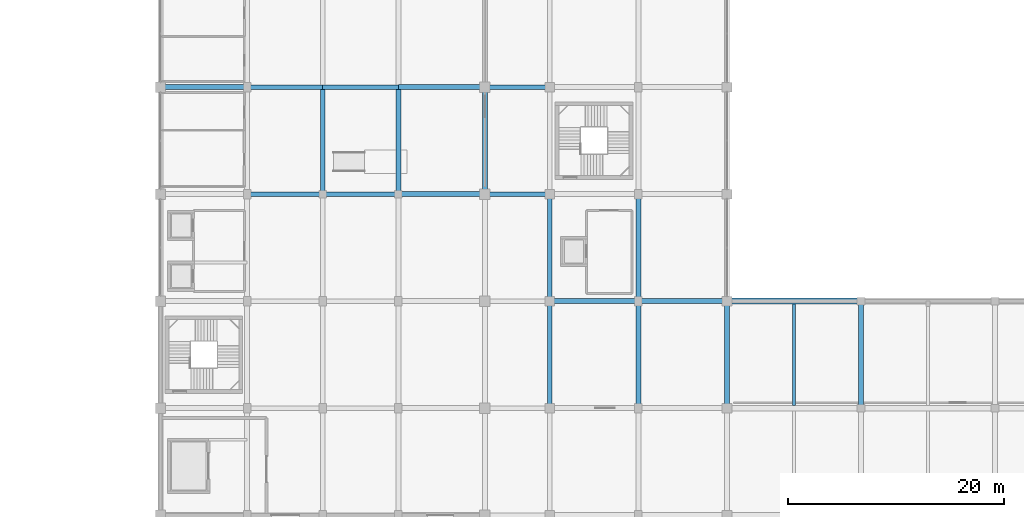
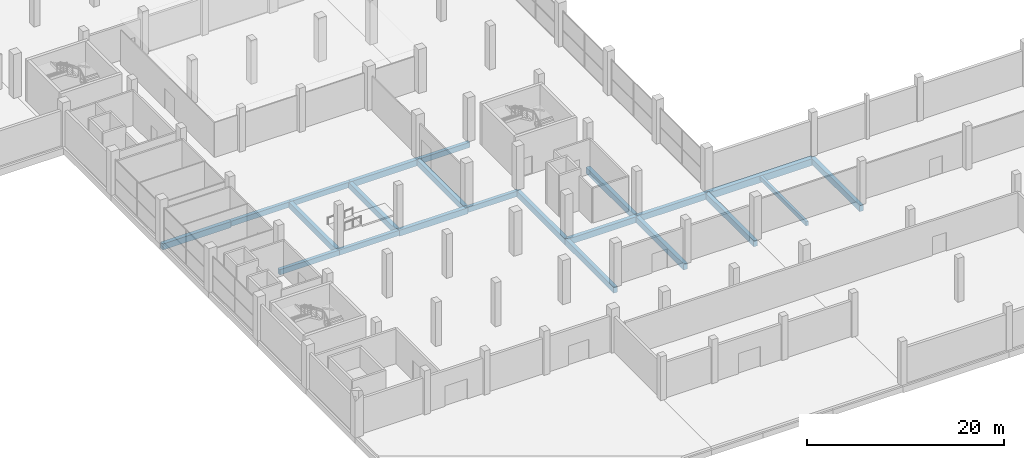
# One storey, part 7 of 50: 22 beams.
"""IFC4 building model written with IfcOpenShell, lengths in metres."""

import ifcopenshell
import ifcopenshell.guid

model = None  # the IFC model being written
_history = None  # IfcOwnerHistory: only IFC2X3 demands one
_inside = {}  # id of a spatial element -> (the spatial element, [elements in it])
_under = {}  # id of a project, library or spatial element -> (it, [spatial elements below it])
_declared = {}  # id of a project -> (the project, [libraries it declares])
_typed = {}  # id of a type object -> (the type object, [elements of that type])
_made_of = {}  # id of a material, layer set ... -> (it, [elements and type objects made of it])


def new_model(schema):
    """Start an empty IFC model of exactly this schema.

    Asked for "IFC4X3", IfcOpenShell would pick the latest addendum, in which some entities
    have other attributes; the version numbers below select the first issue.
    IFC2X3 requires an IfcOwnerHistory on every rooted entity: one is made here for all.
    """
    global model, _history
    if schema == "IFC4X3":
        model = ifcopenshell.file(schema_version=(4, 3, 0, 0))
    else:
        model = ifcopenshell.file(schema=schema)
    _inside.clear()
    _under.clear()
    _declared.clear()
    _typed.clear()
    _made_of.clear()
    _history = None
    if model.schema == "IFC2X3":
        org = make("IfcOrganization", Name="unknown")
        user = make(
            "IfcPersonAndOrganization",
            ThePerson=make("IfcPerson", FamilyName="unknown"),
            TheOrganization=org,
        )
        app = make(
            "IfcApplication",
            ApplicationDeveloper=org,
            Version="unknown",
            ApplicationFullName="unknown",
            ApplicationIdentifier="unknown",
        )
        _history = make(
            "IfcOwnerHistory",
            OwningUser=user,
            OwningApplication=app,
            ChangeAction="ADDED",
            CreationDate=0,
        )
    return model


def make(cls, **values):
    """One entity of the class cls with the attributes given. An attribute that is None is left unset."""
    return model.create_entity(
        cls, **{name: value for name, value in values.items() if value is not None}
    )


def rooted(cls, **values):
    """An entity with a GlobalId (a new one), such as an element, a storey or a relation."""
    return make(cls, GlobalId=ifcopenshell.guid.new(), OwnerHistory=_history, **values)


def si_unit(unit_type, name, prefix=None):
    """IfcSIUnit, for example si_unit("LENGTHUNIT", "METRE", prefix="MILLI")."""
    return make("IfcSIUnit", UnitType=unit_type, Prefix=prefix, Name=name)


def assignment(units):
    """IfcUnitAssignment: the units of a project."""
    return None if units is None else make("IfcUnitAssignment", Units=units)


def point(xyz):
    """IfcCartesianPoint."""
    return None if xyz is None else make("IfcCartesianPoint", Coordinates=xyz)


def direction(xyz):
    """IfcDirection."""
    return None if xyz is None else make("IfcDirection", DirectionRatios=xyz)


def frame(location, z_axis=None, x_axis=None):
    """IfcAxis2Placement3D, a coordinate frame: its origin and axes. An axis left out is left unset."""
    return make(
        "IfcAxis2Placement3D",
        Location=point(location),
        Axis=direction(z_axis),
        RefDirection=direction(x_axis),
    )


def frame_2d(location, x_axis=None):
    """IfcAxis2Placement2D, a coordinate frame in the plane: its origin and x axis."""
    return make(
        "IfcAxis2Placement2D", Location=point(location), RefDirection=direction(x_axis)
    )


def origin():
    """The frame at (0, 0, 0) with its axes left unset."""
    return frame((0.0, 0.0, 0.0))


def origin_2d():
    """The frame at (0, 0) in the plane with its x axis left unset."""
    return frame_2d((0.0, 0.0))


def place(relative_to, where):
    """IfcLocalPlacement: puts the frame where relative to a parent placement (None: the world)."""
    return make(
        "IfcLocalPlacement", PlacementRelTo=relative_to, RelativePlacement=where
    )


def context(
    kind, dimensions, precision=None, world=None, true_north=None, identifier=None
):
    """IfcGeometricRepresentationContext, for example the 3D "Model" context."""
    return make(
        "IfcGeometricRepresentationContext",
        ContextIdentifier=identifier,
        ContextType=kind,
        CoordinateSpaceDimension=dimensions,
        Precision=precision,
        WorldCoordinateSystem=world,
        TrueNorth=true_north,
    )


def subcontext(parent, identifier, kind, view, scale=None):
    """IfcGeometricRepresentationSubContext, for example "Body" below "Model"."""
    return make(
        "IfcGeometricRepresentationSubContext",
        ContextIdentifier=identifier,
        ContextType=kind,
        ParentContext=parent,
        TargetScale=scale,
        TargetView=view,
    )


def project(units=None, contexts=None):
    """IfcProject with its units and contexts."""
    return rooted(
        "IfcProject",
        Name="project",
        RepresentationContexts=contexts,
        UnitsInContext=assignment(units),
    )


def spatial(cls, under=None, at=None, **own):
    """A site, building, storey or space (cls), placed at a placement, below another one or the project."""
    s = rooted(cls, ObjectPlacement=at, **own)
    if under is not None:
        _under.setdefault(under.id(), (under, []))[1].append(s)
    return s


def profile(cls, at=None, kind="AREA", **sizes):
    """A parametric profile (cls). Its sizes go by their IFC names, for example OverallWidth=200.0."""
    return make(cls, ProfileType=kind, Position=at, **sizes)


def rectangle(**sizes):
    """IfcRectangleProfileDef."""
    return profile("IfcRectangleProfileDef", **sizes)


def extrude(swept, where, along, depth):
    """IfcExtrudedAreaSolid: the profile swept, set in the frame where, extruded along a direction by depth."""
    return make(
        "IfcExtrudedAreaSolid",
        SweptArea=swept,
        Position=where,
        ExtrudedDirection=direction(along),
        Depth=depth,
    )


def shape(context_of_items, identifier, shape_type, items):
    """IfcShapeRepresentation: the items that make up one representation, for example the "Body"."""
    return make(
        "IfcShapeRepresentation",
        ContextOfItems=context_of_items,
        RepresentationIdentifier=identifier,
        RepresentationType=shape_type,
        Items=items,
    )


def material(Name=None, Category=None):
    """IfcMaterial."""
    return make("IfcMaterial", Name=Name, Category=Category)


def material_profile(
    of_material, cross_section, Name=None, Category=None, Priority=None
):
    """IfcMaterialProfile: a cross section and its material."""
    return make(
        "IfcMaterialProfile",
        Name=Name,
        Material=of_material,
        Profile=cross_section,
        Priority=Priority,
        Category=Category,
    )


def profile_set(profiles, Name=None, composite=None):
    """IfcMaterialProfileSet."""
    return make(
        "IfcMaterialProfileSet",
        Name=Name,
        MaterialProfiles=profiles,
        CompositeProfile=composite,
    )


def made_of(thing, what):
    """Note that an element or type object is made of a material, layer set ...; save() writes the relation."""
    if what is not None:
        _made_of.setdefault(what.id(), (what, []))[1].append(thing)
    return thing


def type_object(cls, material=None, **own):
    """A type object (cls), such as IfcWallType, which elements share."""
    return made_of(rooted(cls, **own), material)


def element(
    cls,
    number,
    at=None,
    inside=None,
    cuts=None,
    type_object=None,
    material=None,
    context=None,
    identifier="Body",
    shape_type=None,
    held_by="IfcProductDefinitionShape",
    body=None,
    shapes=None,
    **own,
):
    """One element of the class cls, such as IfcWall. Its Tag is "e" and its number.

    at: its placement. inside: the storey or other place that contains it. cuts: it is an
    opening in that element (IfcRelVoidsElement). A single representation is given by context,
    identifier, shape_type and body (its items); several are given by shapes. held_by: the class
    of the entity that holds the representations. save() writes the other relations.
    """
    e = rooted(cls, Tag="e%d" % number, ObjectPlacement=at, **own)
    if body is not None:
        shapes = [shape(context, identifier, shape_type, body)]
    if shapes is not None:
        e.Representation = make(held_by, Representations=shapes)
    if inside is not None:
        _inside.setdefault(inside.id(), (inside, []))[1].append(e)
    if cuts is not None:
        rooted(
            "IfcRelVoidsElement", RelatingBuildingElement=cuts, RelatedOpeningElement=e
        )
    if type_object is not None:
        _typed.setdefault(type_object.id(), (type_object, []))[1].append(e)
    return made_of(e, material)


def aggregate(whole, parts):
    """IfcRelAggregates: a whole, such as a stair, and the parts it consists of."""
    return rooted("IfcRelAggregates", RelatingObject=whole, RelatedObjects=parts)


def save(model, path):
    """Write the relations noted so far, then the file.

    IfcRelAggregates (storeys below a building ...), IfcRelContainedInSpatialStructure (elements
    in a storey), IfcRelDefinesByType, IfcRelAssociatesMaterial and IfcRelDeclares: one each for
    every whole, place, type object, material and project.
    """
    for whole, parts in _under.values():
        aggregate(whole, parts)
    for where, things in _inside.values():
        rooted(
            "IfcRelContainedInSpatialStructure",
            RelatedElements=things,
            RelatingStructure=where,
        )
    for kind, things in _typed.values():
        rooted("IfcRelDefinesByType", RelatedObjects=things, RelatingType=kind)
    for what, things in _made_of.values():
        rooted("IfcRelAssociatesMaterial", RelatedObjects=things, RelatingMaterial=what)
    for by, libraries in _declared.values():
        rooted("IfcRelDeclares", RelatingContext=by, RelatedDefinitions=libraries)
    model.write(path)


model = new_model("IFC4")

# Units and contexts
model_context = context("Model", 3, precision=1e-05, world=origin(), true_north=direction((0.0, 1.0)))
body_context = subcontext(model_context, "Body", "Model", "MODEL_VIEW")
ifc_project = project(units=[si_unit("LENGTHUNIT", "METRE"), si_unit("AREAUNIT", "SQUARE_METRE"), si_unit("VOLUMEUNIT", "CUBIC_METRE"), si_unit("PLANEANGLEUNIT", "RADIAN"), si_unit("MASSUNIT", "GRAM", prefix="KILO")], contexts=[model_context])

# Site, building, storey
site_placement = place(None, origin())
site = spatial("IfcSite", under=ifc_project, at=site_placement, CompositionType="ELEMENT")
building_placement = place(site_placement, origin())
building = spatial("IfcBuilding", under=site, at=building_placement, Name="Sillaruma Civic Art Gallery", CompositionType="ELEMENT")
storey_placement = place(building_placement, origin())
storey = spatial("IfcBuildingStorey", under=building, at=storey_placement, Name="L00", CompositionType="ELEMENT", Elevation=0.0)

# Beams
ifc_material_1 = material(Name="Concrete H35 (35 MPa)", Category="concrete")
ifc_material_profile_1 = material_profile(ifc_material_1, rectangle(XDim=0.39990234375, YDim=0.64990234375, at=origin_2d()), Name="RCB400x650")
ifc_profile_set_1 = profile_set([ifc_material_profile_1], Name="Concrete H35 (35 MPa)")
beam_type_1 = type_object("IfcBeamType", Name="BM-BEAM-RCB400x650", PredefinedType="BEAM", material=ifc_profile_set_1)
for number, where, z_axis, x_axis, name in (
    (1, (70.0, 49.5, -0.625), (1.0, 0.0, 0.0), (0.0, 1.0, 0.0), "Beam BM-05 (B01:6:G-H)"),
    (2, (77.0, 49.5, -0.625), (1.0, 0.0, 0.0), (0.0, 1.0, 0.0), "Beam BM-05 (B01:6:H-J)"),
):
    element("IfcBeam", number, at=place(storey_placement, frame(where, z_axis=z_axis, x_axis=x_axis)), inside=storey, type_object=beam_type_1, Name=name, PredefinedType="BEAM", context=body_context, shape_type="SweptSolid", body=[
        extrude(rectangle(XDim=0.39990234375, YDim=0.64990234375, at=origin_2d()), origin(), (0.0, 0.0, 1.0), 7.0),
    ])
beam_1_placement = place(storey_placement, frame((92.0, 49.5, -0.625), z_axis=(1.0, 0.0, 0.0), x_axis=(0.0, 1.0, 0.0)))
element("IfcBeam", 3, at=beam_1_placement, inside=storey, type_object=beam_type_1, Name="Beam BM-05 (B01:6:K-L)", PredefinedType="BEAM", context=body_context, shape_type="SweptSolid", body=[
    extrude(rectangle(XDim=0.39990234375, YDim=0.64990234375, at=origin_2d()), origin(), (0.0, 0.0, 1.0), 6.0),
])
for number, where, z_axis, x_axis, name in (
    (4, (70.0, 59.39990234375, -0.625), (1.0, 0.0, 0.0), (0.0, 1.0, 0.0), "Beam BM-05 (B01:7:G-H)"),
    (5, (77.0, 59.39990234375, -0.625), (1.0, 0.0, 0.0), (0.0, 1.0, 0.0), "Beam BM-05 (B01:7:H-J)"),
):
    element("IfcBeam", number, at=place(storey_placement, frame(where, z_axis=z_axis, x_axis=x_axis)), inside=storey, type_object=beam_type_1, Name=name, PredefinedType="BEAM", context=body_context, shape_type="SweptSolid", body=[
        extrude(rectangle(XDim=0.39990234375, YDim=0.64990234375, at=origin_2d()), origin(), (0.0, 0.0, 1.0), 7.0),
    ])
beam_2_placement = place(storey_placement, frame((92.0, 59.39990234375, -0.625), z_axis=(1.0, 0.0, 0.0), x_axis=(0.0, 1.0, 0.0)))
element("IfcBeam", 6, at=beam_2_placement, inside=storey, type_object=beam_type_1, Name="Beam BM-05 (B01:7:K-L)", PredefinedType="BEAM", context=body_context, shape_type="SweptSolid", body=[
    extrude(rectangle(XDim=0.39990234375, YDim=0.64990234375, at=origin_2d()), origin(), (0.0, 0.0, 1.0), 6.0),
])
ifc_material_2 = material(Name="Concrete H40 (40 MPa)", Category="concrete")
ifc_material_profile_2 = material_profile(ifc_material_2, rectangle(XDim=0.449951171875, YDim=0.75, at=origin_2d()), Name="RCB450x750")
ifc_profile_set_2 = profile_set([ifc_material_profile_2], Name="Concrete H40 (40 MPa)")
beam_type_2 = type_object("IfcBeamType", Name="BM-BEAM-RCB450x750", PredefinedType="BEAM", material=ifc_profile_set_2)
for number, where, z_axis, x_axis, name in (
    (7, (98.0, 39.60009765625, -0.675048828125), (1.0, 0.0, 0.0), (0.0, 1.0, 0.0), "Beam BM-03 (B01:5:L-M)"),
    (8, (106.199951171875, 39.60009765625, -0.675048828125), (1.0, 0.0, 0.0), (0.0, 1.0, 0.0), "Beam BM-03 (B01:5:M-N)"),
):
    element("IfcBeam", number, at=place(storey_placement, frame(where, z_axis=z_axis, x_axis=x_axis)), inside=storey, type_object=beam_type_2, Name=name, PredefinedType="BEAM", context=body_context, shape_type="SweptSolid", body=[
        extrude(rectangle(XDim=0.449951171875, YDim=0.75, at=origin_2d()), origin(), (0.0, 0.0, 1.0), 8.199951171875),
    ])
for number, where, z_axis, x_axis, name in (
    (9, (84.0, 49.5, -0.675048828125), (1.0, 0.0, 0.0), (0.0, 1.0, 0.0), "Beam BM-03 (B01:6:J-K)"),
    (10, (62.0, 59.39990234375, -0.675048828125), (1.0, 0.0, 0.0), (0.0, 1.0, 0.0), "Beam BM-03 (B01:7:F-G)"),
    (11, (84.0, 59.39990234375, -0.675048828125), (1.0, 0.0, 0.0), (0.0, 1.0, 0.0), "Beam BM-03 (B01:7:J-K)"),
):
    element("IfcBeam", number, at=place(storey_placement, frame(where, z_axis=z_axis, x_axis=x_axis)), inside=storey, type_object=beam_type_2, Name=name, PredefinedType="BEAM", context=body_context, shape_type="SweptSolid", body=[
        extrude(rectangle(XDim=0.449951171875, YDim=0.75, at=origin_2d()), origin(), (0.0, 0.0, 1.0), 8.0),
    ])
for number, where, z_axis, x_axis, name in (
    (12, (77.0, 49.5, -0.675048828125), (0.0, 1.0, 0.0), (-1.0, 0.0, 0.0), "Beam BM-03 (B01:H:6-7)"),
    (13, (84.0, 49.5, -0.675048828125), (0.0, 1.0, 0.0), (-1.0, 0.0, 0.0), "Beam BM-03 (B01:J:6-7)"),
    (14, (92.0, 49.5, -0.675048828125), (0.0, 1.0, 0.0), (-1.0, 0.0, 0.0), "Beam BM-03 (B01:K:6-7)"),
):
    element("IfcBeam", number, at=place(storey_placement, frame(where, z_axis=z_axis, x_axis=x_axis)), inside=storey, type_object=beam_type_2, Name=name, PredefinedType="BEAM", context=body_context, shape_type="SweptSolid", body=[
        extrude(rectangle(XDim=0.449951171875, YDim=0.75, at=origin_2d()), origin(), (0.0, 0.0, 1.0), 9.89990234375),
    ])
beam_3_placement = place(storey_placement, frame((98.0, 29.699951171875, -0.675048828125), z_axis=(0.0, 1.0, 0.0), x_axis=(-1.0, 0.0, 0.0)))
element("IfcBeam", 15, at=beam_3_placement, inside=storey, type_object=beam_type_2, Name="Beam BM-03 (B01:L:4-5)", PredefinedType="BEAM", context=body_context, shape_type="SweptSolid", body=[
    extrude(rectangle(XDim=0.449951171875, YDim=0.75, at=origin_2d()), origin(), (0.0, 0.0, 1.0), 9.900146484375),
])
beam_4_placement = place(storey_placement, frame((98.0, 39.60009765625, -0.675048828125), z_axis=(0.0, 1.0, 0.0), x_axis=(-1.0, 0.0, 0.0)))
element("IfcBeam", 16, at=beam_4_placement, inside=storey, type_object=beam_type_2, Name="Beam BM-03 (B01:L:5-6)", PredefinedType="BEAM", context=body_context, shape_type="SweptSolid", body=[
    extrude(rectangle(XDim=0.449951171875, YDim=0.75, at=origin_2d()), origin(), (0.0, 0.0, 1.0), 9.89990234375),
])
beam_5_placement = place(storey_placement, frame((106.199951171875, 29.699951171875, -0.675048828125), z_axis=(0.0, 1.0, 0.0), x_axis=(-1.0, 0.0, 0.0)))
element("IfcBeam", 17, at=beam_5_placement, inside=storey, type_object=beam_type_2, Name="Beam BM-03 (B01:M:4-5)", PredefinedType="BEAM", context=body_context, shape_type="SweptSolid", body=[
    extrude(rectangle(XDim=0.449951171875, YDim=0.75, at=origin_2d()), origin(), (0.0, 0.0, 1.0), 9.900146484375),
])
beam_6_placement = place(storey_placement, frame((106.199951171875, 39.60009765625, -0.675048828125), z_axis=(0.0, 1.0, 0.0), x_axis=(-1.0, 0.0, 0.0)))
element("IfcBeam", 18, at=beam_6_placement, inside=storey, type_object=beam_type_2, Name="Beam BM-03 (B01:M:5-6)", PredefinedType="BEAM", context=body_context, shape_type="SweptSolid", body=[
    extrude(rectangle(XDim=0.449951171875, YDim=0.75, at=origin_2d()), origin(), (0.0, 0.0, 1.0), 9.89990234375),
])
for number, where, z_axis, x_axis, name in (
    (19, (114.39990234375, 29.699951171875, -0.675048828125), (0.0, 1.0, 0.0), (-1.0, 0.0, 0.0), "Beam BM-03 (B01:N:4-5)"),
    (20, (126.800048828125, 29.699951171875, -0.675048828125), (0.0, 1.0, 0.0), (-1.0, 0.0, 0.0), "Beam BM-03 (B01:P:4-5)"),
):
    element("IfcBeam", number, at=place(storey_placement, frame(where, z_axis=z_axis, x_axis=x_axis)), inside=storey, type_object=beam_type_2, Name=name, PredefinedType="BEAM", context=body_context, shape_type="SweptSolid", body=[
        extrude(rectangle(XDim=0.449951171875, YDim=0.75, at=origin_2d()), origin(), (0.0, 0.0, 1.0), 9.900146484375),
    ])
ifc_material_profile_3 = material_profile(ifc_material_2, rectangle(XDim=0.550048828125, YDim=0.85009765625, at=origin_2d()), Name="RCB550x850")
ifc_profile_set_3 = profile_set([ifc_material_profile_3], Name="Concrete H40 (40 MPa)")
beam_type_3 = type_object("IfcBeamType", Name="BM-BEAM-RCB550x850", PredefinedType="BEAM", material=ifc_profile_set_3)
beam_7_placement = place(storey_placement, frame((114.39990234375, 39.60009765625, -0.72509765625), z_axis=(1.0, 0.0, 0.0), x_axis=(0.0, 1.0, 0.0)))
element("IfcBeam", 21, at=beam_7_placement, inside=storey, type_object=beam_type_3, Name="Beam BM-01 (B01:5:N-P)", PredefinedType="BEAM", context=body_context, shape_type="SweptSolid", body=[
    extrude(rectangle(XDim=0.550048828125, YDim=0.85009765625, at=origin_2d()), origin(), (0.0, 0.0, 1.0), 12.400146484375),
])
ifc_material_profile_4 = material_profile(ifc_material_1, rectangle(XDim=0.300048828125, YDim=0.52001953125, at=origin_2d()), Name="RCB300x520")
ifc_profile_set_4 = profile_set([ifc_material_profile_4], Name="Concrete H35 (35 MPa)")
beam_type_4 = type_object("IfcBeamType", Name="BM-JOIST-RCB300x520", PredefinedType="JOIST", material=ifc_profile_set_4)
beam_8_placement = place(storey_placement, frame((120.60009765625, 29.9599609375, -0.56005859375), z_axis=(0.0, 1.0, 0.0), x_axis=(-1.0, 0.0, 0.0)))
element("IfcBeam", 22, at=beam_8_placement, inside=storey, type_object=beam_type_4, Name="Floor Joist JR-01 (B01:NP:4-5)", PredefinedType="JOIST", context=body_context, shape_type="SweptSolid", body=[
    extrude(rectangle(XDim=0.300048828125, YDim=0.52001953125, at=origin_2d()), origin(), (0.0, 0.0, 1.0), 9.364990234375),
])

save(model, "model.ifc")
